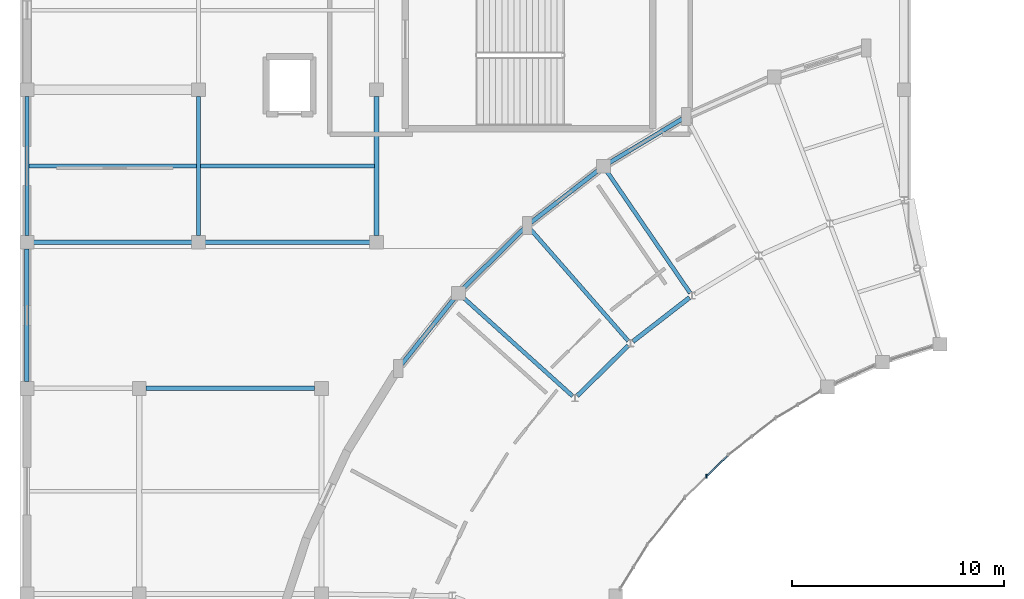
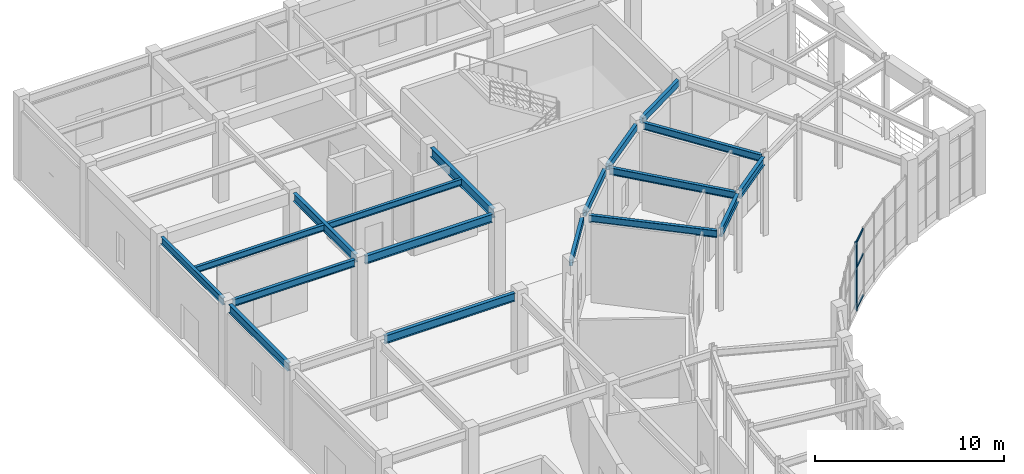
# One storey, part 29 of 93: 18 beams, 4 members, 1 element without a shape of its own.
"""IFC4 building model written with IfcOpenShell, lengths in metres."""

from ifc_helpers import new_model, si_unit, direction, frame, origin, origin_2d, place, context, subcontext, project, spatial, rectangle, hollow_rectangle, i_section, extrude, material, material_profile, profile_set, type_object, element, aggregate, save


model = new_model("IFC4")

# Units and contexts
model_context = context("Model", 3, precision=1e-05, world=origin(), true_north=direction((0.0, 1.0)))
body_context = subcontext(model_context, "Body", "Model", "MODEL_VIEW")
ifc_project = project(units=[si_unit("LENGTHUNIT", "METRE"), si_unit("AREAUNIT", "SQUARE_METRE"), si_unit("VOLUMEUNIT", "CUBIC_METRE"), si_unit("PLANEANGLEUNIT", "RADIAN"), si_unit("MASSUNIT", "GRAM", prefix="KILO")], contexts=[model_context])

# Site, building, storey
site_placement = place(None, origin())
site = spatial("IfcSite", under=ifc_project, at=site_placement, CompositionType="ELEMENT")
building_placement = place(site_placement, origin())
building = spatial("IfcBuilding", under=site, at=building_placement, Name="Cinderbank Siding Concert Hall", CompositionType="ELEMENT")
storey_placement = place(building_placement, origin())
storey = spatial("IfcBuildingStorey", under=building, at=storey_placement, Name="L01", CompositionType="ELEMENT", Elevation=0.0)

# Beams
ifc_material_1 = material(Name="Structural steel AS/NZS 3679.1 Grade 350 (340 MPa)", Category="steel")
ifc_material_profile_1 = material_profile(ifc_material_1, i_section(OverallWidth=0.18994140625, OverallDepth=0.45751953125, WebThickness=0.009033203125, FlangeThickness=0.014404296875, at=origin_2d()), Name="460UB74.6", Category="LoadBearing")
ifc_profile_set_1 = profile_set([ifc_material_profile_1], Name="Structural steel AS/NZS 3679.1 Grade 350 (340 MPa)")
beam_type_1 = type_object("IfcBeamType", Name="BM-UB460 460UB74.6", PredefinedType="BEAM", material=ifc_profile_set_1)
beam_1_placement = place(storey_placement, frame((38.40380859375, 93.698486328125, 4.893310546875), z_axis=(-0.564955120816, 0.825121634345, 0.0), x_axis=(-0.825121634345, -0.564955120816, 0.0)))
element("IfcBeam", 1, at=beam_1_placement, inside=storey, type_object=beam_type_1, Name="L01 Beam BM-UB460 #912", PredefinedType="BEAM", context=body_context, shape_type="SweptSolid", body=[
    extrude(i_section(OverallWidth=0.18994140625, OverallDepth=0.45751953125, WebThickness=0.009033203125, FlangeThickness=0.014404296875, at=origin_2d()), origin(), (0.0, 0.0, 1.0), 6.9375),
])
beam_2_placement = place(storey_placement, frame((35.4833984375, 91.435791015625, 4.893310546875), z_axis=(-0.65868883968, 0.752415452048, 0.0), x_axis=(-0.752415452048, -0.65868883968, 0.0)))
element("IfcBeam", 2, at=beam_2_placement, inside=storey, type_object=beam_type_1, Name="L01 Beam BM-UB460 #915", PredefinedType="BEAM", context=body_context, shape_type="SweptSolid", body=[
    extrude(i_section(OverallWidth=0.18994140625, OverallDepth=0.45751953125, WebThickness=0.009033203125, FlangeThickness=0.014404296875, at=origin_2d()), origin(), (0.0, 0.0, 1.0), 7.03564453125),
])
beam_3_placement = place(storey_placement, frame((32.8544921875, 88.84033203125, 4.893310546875), z_axis=(-0.743157645218, 0.66911636832, 0.0), x_axis=(-0.66911636832, -0.743157645218, 0.0)))
element("IfcBeam", 3, at=beam_3_placement, inside=storey, type_object=beam_type_1, Name="L01 Beam BM-UB460 #918", PredefinedType="BEAM", context=body_context, shape_type="SweptSolid", body=[
    extrude(i_section(OverallWidth=0.18994140625, OverallDepth=0.45751953125, WebThickness=0.009033203125, FlangeThickness=0.014404296875, at=origin_2d()), origin(), (0.0, 0.0, 1.0), 6.937744140625),
])
beam_4_placement = place(storey_placement, frame((7.4169921875, 96.10009765625, 4.913330078125), z_axis=(1.0, 0.0, 0.0), x_axis=(0.0, 1.0, 0.0)))
element("IfcBeam", 4, at=beam_4_placement, inside=storey, type_object=beam_type_1, Name="L01 Beam BM-UB460 #1355", PredefinedType="BEAM", context=body_context, shape_type="SweptSolid", body=[
    extrude(i_section(OverallWidth=0.18994140625, OverallDepth=0.45751953125, WebThickness=0.009033203125, FlangeThickness=0.014404296875, at=origin_2d()), origin(), (0.0, 0.0, 1.0), 7.466064453125),
])
beam_5_placement = place(storey_placement, frame((7.10009765625, 96.4169921875, 4.913330078125), z_axis=(0.0, 1.0, 0.0), x_axis=(-1.0, 0.0, 0.0)))
element("IfcBeam", 5, at=beam_5_placement, inside=storey, type_object=beam_type_1, Name="L01 Beam BM-UB460 #1356", PredefinedType="BEAM", context=body_context, shape_type="SweptSolid", body=[
    extrude(i_section(OverallWidth=0.18994140625, OverallDepth=0.45751953125, WebThickness=0.009033203125, FlangeThickness=0.014404296875, at=origin_2d()), origin(), (0.0, 0.0, 1.0), 6.56591796875),
])
ifc_material_profile_2 = material_profile(ifc_material_1, i_section(OverallWidth=0.208984375, OverallDepth=0.5283203125, WebThickness=0.009521484375, FlangeThickness=0.01318359375, at=origin_2d()), Name="530UB82.0", Category="LoadBearing")
ifc_profile_set_2 = profile_set([ifc_material_profile_2], Name="Structural steel AS/NZS 3679.1 Grade 350 (340 MPa)")
beam_type_2 = type_object("IfcBeamType", Name="BM-UB530 530UB82.0", PredefinedType="BEAM", material=ifc_profile_set_2)
beam_6_placement = place(storey_placement, frame((38.37109375, 93.4892578125, 4.85791015625), z_axis=(-0.790190567533, -0.612861213475, 0.0), x_axis=(0.612861213475, -0.790190567533, 0.0)))
element("IfcBeam", 6, at=beam_6_placement, inside=storey, type_object=beam_type_2, Name="L01 Beam BM-UB530 #913", PredefinedType="BEAM", context=body_context, shape_type="SweptSolid", body=[
    extrude(i_section(OverallWidth=0.208984375, OverallDepth=0.5283203125, WebThickness=0.009521484375, FlangeThickness=0.01318359375, at=origin_2d()), origin(), (0.0, 0.0, 1.0), 3.384033203125),
])
beam_7_placement = place(storey_placement, frame((35.4755859375, 91.22119140625, 4.85791015625), z_axis=(-0.712031669156, -0.702147350717, 0.0), x_axis=(0.702147350717, -0.712031669156, 0.0)))
element("IfcBeam", 7, at=beam_7_placement, inside=storey, type_object=beam_type_2, Name="L01 Beam BM-UB530 #916", PredefinedType="BEAM", context=body_context, shape_type="SweptSolid", body=[
    extrude(i_section(OverallWidth=0.208984375, OverallDepth=0.5283203125, WebThickness=0.009521484375, FlangeThickness=0.01318359375, at=origin_2d()), origin(), (0.0, 0.0, 1.0), 3.3837890625),
])
beam_8_placement = place(storey_placement, frame((15.51708984375, 96.10009765625, 4.8779296875), z_axis=(1.0, 0.0, 0.0), x_axis=(0.0, 1.0, 0.0)))
element("IfcBeam", 8, at=beam_8_placement, inside=storey, type_object=beam_type_2, Name="L01 Beam BM-UB530 #1362", PredefinedType="BEAM", context=body_context, shape_type="SweptSolid", body=[
    extrude(i_section(OverallWidth=0.208984375, OverallDepth=0.5283203125, WebThickness=0.009521484375, FlangeThickness=0.01318359375, at=origin_2d()), origin(), (0.0, 0.0, 1.0), 7.765869140625),
])
beam_9_placement = place(storey_placement, frame((15.199951171875, 96.4169921875, 4.8779296875), z_axis=(0.0, 1.0, 0.0), x_axis=(-1.0, 0.0, 0.0)))
element("IfcBeam", 9, at=beam_9_placement, inside=storey, type_object=beam_type_2, Name="L01 Beam BM-UB530 #1363", PredefinedType="BEAM", context=body_context, shape_type="SweptSolid", body=[
    extrude(i_section(OverallWidth=0.208984375, OverallDepth=0.5283203125, WebThickness=0.009521484375, FlangeThickness=0.01318359375, at=origin_2d()), origin(), (0.0, 0.0, 1.0), 6.56591796875),
])
beam_10_placement = place(storey_placement, frame((7.10009765625, 89.51708984375, 4.8779296875), z_axis=(0.0, 1.0, 0.0), x_axis=(-1.0, 0.0, 0.0)))
element("IfcBeam", 10, at=beam_10_placement, inside=storey, type_object=beam_type_2, Name="L01 Beam BM-UB530 #1428", PredefinedType="BEAM", context=body_context, shape_type="SweptSolid", body=[
    extrude(i_section(OverallWidth=0.208984375, OverallDepth=0.5283203125, WebThickness=0.009521484375, FlangeThickness=0.01318359375, at=origin_2d()), origin(), (0.0, 0.0, 1.0), 6.265869140625),
])
beam_11_placement = place(storey_placement, frame((12.717041015625, 89.199951171875, 4.8779296875), z_axis=(1.0, 0.0, 0.0), x_axis=(0.0, 1.0, 0.0)))
element("IfcBeam", 11, at=beam_11_placement, inside=storey, type_object=beam_type_2, Name="L01 Beam BM-UB530 #1435", PredefinedType="BEAM", context=body_context, shape_type="SweptSolid", body=[
    extrude(i_section(OverallWidth=0.208984375, OverallDepth=0.5283203125, WebThickness=0.009521484375, FlangeThickness=0.01318359375, at=origin_2d()), origin(), (0.0, 0.0, 1.0), 7.966064453125),
])
ifc_material_profile_3 = material_profile(ifc_material_1, i_section(OverallWidth=0.22802734375, OverallDepth=0.602294921875, WebThickness=0.010498046875, FlangeThickness=0.014892578125, at=origin_2d()), Name="610UB101", Category="LoadBearing")
ifc_profile_set_3 = profile_set([ifc_material_profile_3], Name="Structural steel AS/NZS 3679.1 Grade 350 (340 MPa)")
beam_type_3 = type_object("IfcBeamType", Name="BM-UB610 610UB101", PredefinedType="BEAM", material=ifc_profile_set_3)
beam_12_placement = place(storey_placement, frame((23.60009765625, 96.4169921875, 4.8408203125), z_axis=(0.0, 1.0, 0.0), x_axis=(-1.0, 0.0, 0.0)))
element("IfcBeam", 12, at=beam_12_placement, inside=storey, type_object=beam_type_3, Name="L01 Beam BM-UB610 #1368", PredefinedType="BEAM", context=body_context, shape_type="SweptSolid", body=[
    extrude(i_section(OverallWidth=0.22802734375, OverallDepth=0.602294921875, WebThickness=0.010498046875, FlangeThickness=0.014892578125, at=origin_2d()), origin(), (0.0, 0.0, 1.0), 6.56591796875),
])

# Curtain wall, members
ifc_material_2 = material(Name="Anodised aluminium alloy 6063-T6", Category="aluminium")
curtain_wall_type = type_object("IfcCurtainWallType", Name="CW-13 Unitised Acoustic Curtain Wall 4200x4400", PredefinedType="NOTDEFINED", material=ifc_material_2)
curtain_wall_placement = place(storey_placement, origin())
curtain_wall = element("IfcCurtainWall", 13, at=curtain_wall_placement, inside=storey, type_object=curtain_wall_type, Name="L01 Curtain Wall CW-13 #97", PredefinedType="NOTDEFINED")
ifc_material_profile_4 = material_profile(ifc_material_2, rectangle(XDim=0.06494140625, YDim=0.199951171875, at=origin_2d()), Name="ALU-MULL-65x200", Category="LoadBearing")
ifc_profile_set_4 = profile_set([ifc_material_profile_4], Name="Anodised aluminium alloy 6063-T6")
member_type_1 = type_object("IfcMemberType", Name="CW-ML2 Mullion 65x200", PredefinedType="MULLION", material=ifc_profile_set_4)
member_1_placement = place(storey_placement, frame((39.177978515625, 85.05859375, 0.0), z_axis=(0.0, 0.0, 1.0), x_axis=(1.0, 0.0, 0.0)))
member_1 = element("IfcMember", 14, at=member_1_placement, type_object=member_type_1, Name="CW-L01-097 Mullion 1", PredefinedType="MULLION", context=body_context, shape_type="SweptSolid", body=[
    extrude(rectangle(XDim=0.06494140625, YDim=0.199951171875, at=origin_2d()), origin(), (0.0, 0.0, 1.0), 4.39990234375),
])
ifc_material_profile_5 = material_profile(ifc_material_2, rectangle(XDim=0.06494140625, YDim=0.14990234375, at=origin_2d()), Name="ALU-TRAN-65x150", Category="LoadBearing")
ifc_profile_set_5 = profile_set([ifc_material_profile_5], Name="Anodised aluminium alloy 6063-T6")
member_type_2 = type_object("IfcMemberType", Name="CW-TR2 Transom 65x150", PredefinedType="USERDEFINED", material=ifc_profile_set_5)
member_2_placement = place(storey_placement, frame((40.140869140625, 86.008056640625, 0.06005859375), z_axis=(-0.711949481775, -0.702230685316, 0.0), x_axis=(0.702230685316, -0.711949481775, 0.0)))
member_2 = element("IfcMember", 15, at=member_2_placement, type_object=member_type_2, Name="CW-L01-097 Transom 0-0", ObjectType="TRANSOM", PredefinedType="USERDEFINED", context=body_context, shape_type="SweptSolid", body=[
    extrude(rectangle(XDim=0.06494140625, YDim=0.14990234375, at=origin_2d()), origin(), (0.0, 0.0, 1.0), 1.28125),
])
member_3_placement = place(storey_placement, frame((40.140869140625, 86.008056640625, 2.72802734375), z_axis=(-0.711949481775, -0.702230685316, 0.0), x_axis=(0.702230685316, -0.711949481775, 0.0)))
member_3 = element("IfcMember", 16, at=member_3_placement, type_object=member_type_2, Name="CW-L01-097 Transom 0-1", ObjectType="TRANSOM", PredefinedType="USERDEFINED", context=body_context, shape_type="SweptSolid", body=[
    extrude(rectangle(XDim=0.06494140625, YDim=0.14990234375, at=origin_2d()), origin(), (0.0, 0.0, 1.0), 1.28125),
])
member_4_placement = place(storey_placement, frame((40.140869140625, 86.008056640625, 4.340087890625), z_axis=(-0.711949481775, -0.702230685316, 0.0), x_axis=(0.702230685316, -0.711949481775, 0.0)))
member_4 = element("IfcMember", 17, at=member_4_placement, type_object=member_type_2, Name="CW-L01-097 Transom 0-2", ObjectType="TRANSOM", PredefinedType="USERDEFINED", context=body_context, shape_type="SweptSolid", body=[
    extrude(rectangle(XDim=0.06494140625, YDim=0.14990234375, at=origin_2d()), origin(), (0.0, 0.0, 1.0), 1.28125),
])
aggregate(curtain_wall, [member_1, member_2, member_3, member_4])

# Beams
ifc_material_profile_6 = material_profile(ifc_material_1, i_section(OverallWidth=0.177978515625, OverallDepth=0.402587890625, WebThickness=0.007568359375, FlangeThickness=0.010986328125, at=origin_2d()), Name="410UB53.7", Category="LoadBearing")
ifc_profile_set_6 = profile_set([ifc_material_profile_6], Name="Structural steel AS/NZS 3679.1 Grade 350 (340 MPa)")
beam_type_4 = type_object("IfcBeamType", Name="JS-UB410 410UB53.7", PredefinedType="JOIST", material=ifc_profile_set_6)
beam_13_placement = place(storey_placement, frame((7.18701171875, 99.699951171875, 4.940673828125), z_axis=(1.0, 0.0, 0.0), x_axis=(0.0, 1.0, 0.0)))
element("IfcBeam", 18, at=beam_13_placement, inside=storey, type_object=beam_type_4, Name="L01 Beam JS-UB410 #1466", PredefinedType="JOIST", context=body_context, shape_type="SweptSolid", body=[
    extrude(i_section(OverallWidth=0.177978515625, OverallDepth=0.402587890625, WebThickness=0.007568359375, FlangeThickness=0.010986328125, at=origin_2d()), origin(), (0.0, 0.0, 1.0), 7.91650390625),
])
beam_14_placement = place(storey_placement, frame((15.29638671875, 99.699951171875, 4.940673828125), z_axis=(1.0, 0.0, 0.0), x_axis=(0.0, 1.0, 0.0)))
element("IfcBeam", 19, at=beam_14_placement, inside=storey, type_object=beam_type_4, Name="L01 Beam JS-UB410 #1469", PredefinedType="JOIST", context=body_context, shape_type="SweptSolid", body=[
    extrude(i_section(OverallWidth=0.177978515625, OverallDepth=0.402587890625, WebThickness=0.007568359375, FlangeThickness=0.010986328125, at=origin_2d()), origin(), (0.0, 0.0, 1.0), 8.197509765625),
])
ifc_material_3 = material(Name="Structural steel hollow section AS/NZS 1163 Grade C350L0 (350 MPa)", Category="steel")
ifc_material_profile_7 = material_profile(ifc_material_3, hollow_rectangle(XDim=0.199951171875, YDim=0.39990234375, WallThickness=0.012451171875, at=origin_2d()), Name="400x200x12.5RHS", Category="LoadBearing")
ifc_profile_set_7 = profile_set([ifc_material_profile_7], Name="Structural steel hollow section AS/NZS 1163 Grade C350L0 (350 MPa)")
beam_type_5 = type_object("IfcBeamType", Name="SP-RHS400 400x200x12.5RHS", PredefinedType="SPANDREL", material=ifc_profile_set_7)
for number, where, z_axis, x_axis, name in (
    (20, (38.0234375, 101.91845703125, 4.922119140625), (-0.857176665491, -0.515022488963, 0.0), (0.515022488963, -0.857176665491, 0.0), "L01 Beam SP-RHS400 #911"),
    (21, (34.0546875, 99.489990234375, 4.922119140625), (-0.790152585681, -0.612910182115, 0.0), (0.612910182115, -0.790152585681, 0.0), "L01 Beam SP-RHS400 #914"),
):
    element("IfcBeam", number, at=place(storey_placement, frame(where, z_axis=z_axis, x_axis=x_axis)), inside=storey, type_object=beam_type_5, Name=name, PredefinedType="SPANDREL", context=body_context, shape_type="SweptSolid", body=[
        extrude(hollow_rectangle(XDim=0.199951171875, YDim=0.39990234375, WallThickness=0.012451171875, at=origin_2d()), origin(), (0.0, 0.0, 1.0), 4.020751953125),
    ])
beam_15_placement = place(storey_placement, frame((30.5517578125, 96.740234375, 4.922119140625), z_axis=(-0.712038390518, -0.702140534671, 0.0), x_axis=(0.702140534671, -0.712038390518, 0.0)))
element("IfcBeam", 22, at=beam_15_placement, inside=storey, type_object=beam_type_5, Name="L01 Beam SP-RHS400 #917", PredefinedType="SPANDREL", context=body_context, shape_type="SweptSolid", body=[
    extrude(hollow_rectangle(XDim=0.199951171875, YDim=0.39990234375, WallThickness=0.012451171875, at=origin_2d()), origin(), (0.0, 0.0, 1.0), 4.0205078125),
])
beam_16_placement = place(storey_placement, frame((27.265380859375, 93.447021484375, 4.922119140625), z_axis=(-0.623850508512, -0.781543692336, 0.0), x_axis=(0.781543692336, -0.623850508512, 0.0)))
element("IfcBeam", 23, at=beam_16_placement, inside=storey, type_object=beam_type_5, Name="L01 Beam SP-RHS400 #919", PredefinedType="SPANDREL", context=body_context, shape_type="SweptSolid", body=[
    extrude(hollow_rectangle(XDim=0.199951171875, YDim=0.39990234375, WallThickness=0.012451171875, at=origin_2d()), origin(), (0.0, 0.0, 1.0), 4.020751953125),
])

save(model, "model.ifc")
